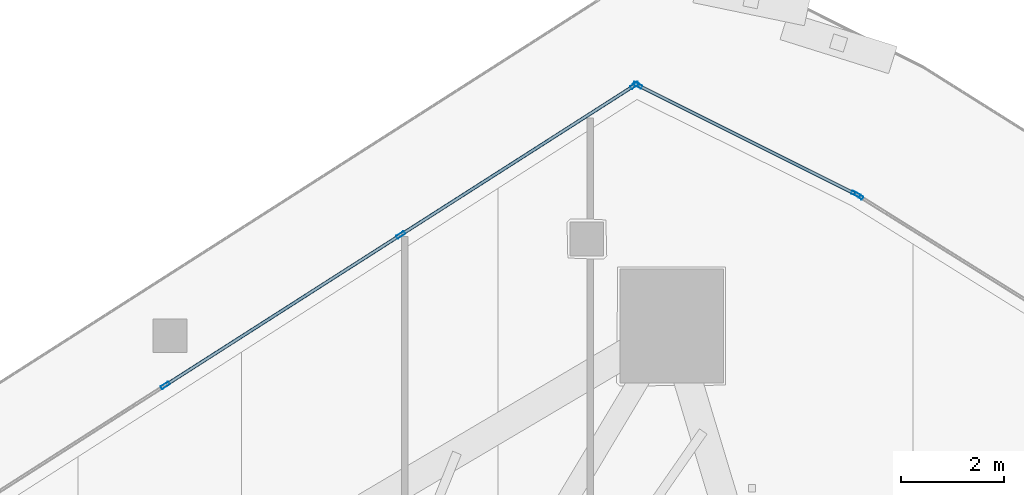
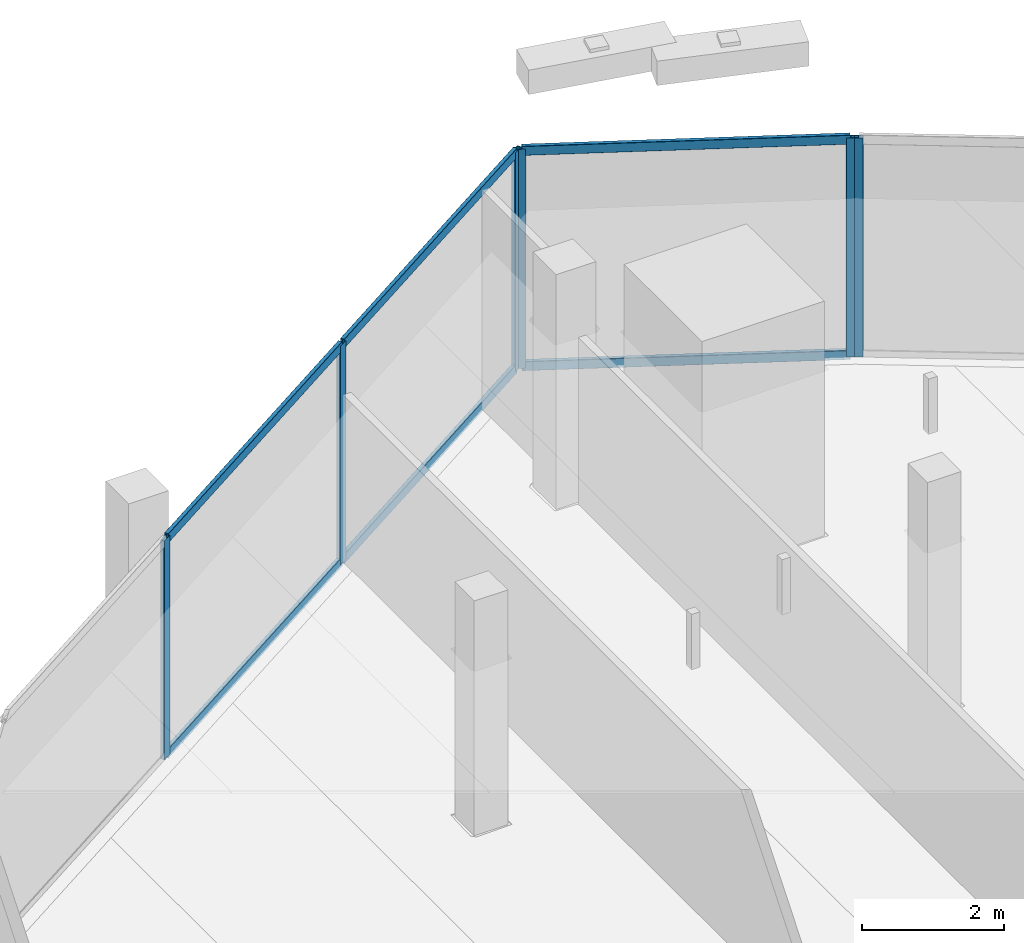
# One storey, part 22 of 39: 12 members, 3 elements without a shape of their own.
"""IFC4 building model written with IfcOpenShell, lengths in metres."""

import ifcopenshell
import ifcopenshell.guid

model = None  # the IFC model being written
_history = None  # IfcOwnerHistory: only IFC2X3 demands one
_inside = {}  # id of a spatial element -> (the spatial element, [elements in it])
_under = {}  # id of a project, library or spatial element -> (it, [spatial elements below it])
_declared = {}  # id of a project -> (the project, [libraries it declares])
_typed = {}  # id of a type object -> (the type object, [elements of that type])
_made_of = {}  # id of a material, layer set ... -> (it, [elements and type objects made of it])


def new_model(schema):
    """Start an empty IFC model of exactly this schema.

    Asked for "IFC4X3", IfcOpenShell would pick the latest addendum, in which some entities
    have other attributes; the version numbers below select the first issue.
    IFC2X3 requires an IfcOwnerHistory on every rooted entity: one is made here for all.
    """
    global model, _history
    if schema == "IFC4X3":
        model = ifcopenshell.file(schema_version=(4, 3, 0, 0))
    else:
        model = ifcopenshell.file(schema=schema)
    _inside.clear()
    _under.clear()
    _declared.clear()
    _typed.clear()
    _made_of.clear()
    _history = None
    if model.schema == "IFC2X3":
        org = make("IfcOrganization", Name="unknown")
        user = make(
            "IfcPersonAndOrganization",
            ThePerson=make("IfcPerson", FamilyName="unknown"),
            TheOrganization=org,
        )
        app = make(
            "IfcApplication",
            ApplicationDeveloper=org,
            Version="unknown",
            ApplicationFullName="unknown",
            ApplicationIdentifier="unknown",
        )
        _history = make(
            "IfcOwnerHistory",
            OwningUser=user,
            OwningApplication=app,
            ChangeAction="ADDED",
            CreationDate=0,
        )
    return model


def make(cls, **values):
    """One entity of the class cls with the attributes given. An attribute that is None is left unset."""
    return model.create_entity(
        cls, **{name: value for name, value in values.items() if value is not None}
    )


def rooted(cls, **values):
    """An entity with a GlobalId (a new one), such as an element, a storey or a relation."""
    return make(cls, GlobalId=ifcopenshell.guid.new(), OwnerHistory=_history, **values)


def si_unit(unit_type, name, prefix=None):
    """IfcSIUnit, for example si_unit("LENGTHUNIT", "METRE", prefix="MILLI")."""
    return make("IfcSIUnit", UnitType=unit_type, Prefix=prefix, Name=name)


def assignment(units):
    """IfcUnitAssignment: the units of a project."""
    return None if units is None else make("IfcUnitAssignment", Units=units)


def point(xyz):
    """IfcCartesianPoint."""
    return None if xyz is None else make("IfcCartesianPoint", Coordinates=xyz)


def direction(xyz):
    """IfcDirection."""
    return None if xyz is None else make("IfcDirection", DirectionRatios=xyz)


def frame(location, z_axis=None, x_axis=None):
    """IfcAxis2Placement3D, a coordinate frame: its origin and axes. An axis left out is left unset."""
    return make(
        "IfcAxis2Placement3D",
        Location=point(location),
        Axis=direction(z_axis),
        RefDirection=direction(x_axis),
    )


def frame_2d(location, x_axis=None):
    """IfcAxis2Placement2D, a coordinate frame in the plane: its origin and x axis."""
    return make(
        "IfcAxis2Placement2D", Location=point(location), RefDirection=direction(x_axis)
    )


def origin():
    """The frame at (0, 0, 0) with its axes left unset."""
    return frame((0.0, 0.0, 0.0))


def origin_2d():
    """The frame at (0, 0) in the plane with its x axis left unset."""
    return frame_2d((0.0, 0.0))


def place(relative_to, where):
    """IfcLocalPlacement: puts the frame where relative to a parent placement (None: the world)."""
    return make(
        "IfcLocalPlacement", PlacementRelTo=relative_to, RelativePlacement=where
    )


def context(
    kind, dimensions, precision=None, world=None, true_north=None, identifier=None
):
    """IfcGeometricRepresentationContext, for example the 3D "Model" context."""
    return make(
        "IfcGeometricRepresentationContext",
        ContextIdentifier=identifier,
        ContextType=kind,
        CoordinateSpaceDimension=dimensions,
        Precision=precision,
        WorldCoordinateSystem=world,
        TrueNorth=true_north,
    )


def subcontext(parent, identifier, kind, view, scale=None):
    """IfcGeometricRepresentationSubContext, for example "Body" below "Model"."""
    return make(
        "IfcGeometricRepresentationSubContext",
        ContextIdentifier=identifier,
        ContextType=kind,
        ParentContext=parent,
        TargetScale=scale,
        TargetView=view,
    )


def project(units=None, contexts=None):
    """IfcProject with its units and contexts."""
    return rooted(
        "IfcProject",
        Name="project",
        RepresentationContexts=contexts,
        UnitsInContext=assignment(units),
    )


def spatial(cls, under=None, at=None, **own):
    """A site, building, storey or space (cls), placed at a placement, below another one or the project."""
    s = rooted(cls, ObjectPlacement=at, **own)
    if under is not None:
        _under.setdefault(under.id(), (under, []))[1].append(s)
    return s


def profile(cls, at=None, kind="AREA", **sizes):
    """A parametric profile (cls). Its sizes go by their IFC names, for example OverallWidth=200.0."""
    return make(cls, ProfileType=kind, Position=at, **sizes)


def hollow_rectangle(**sizes):
    """IfcRectangleHollowProfileDef."""
    return profile("IfcRectangleHollowProfileDef", **sizes)


def extrude(swept, where, along, depth):
    """IfcExtrudedAreaSolid: the profile swept, set in the frame where, extruded along a direction by depth."""
    return make(
        "IfcExtrudedAreaSolid",
        SweptArea=swept,
        Position=where,
        ExtrudedDirection=direction(along),
        Depth=depth,
    )


def shape(context_of_items, identifier, shape_type, items):
    """IfcShapeRepresentation: the items that make up one representation, for example the "Body"."""
    return make(
        "IfcShapeRepresentation",
        ContextOfItems=context_of_items,
        RepresentationIdentifier=identifier,
        RepresentationType=shape_type,
        Items=items,
    )


def material(Name=None, Category=None):
    """IfcMaterial."""
    return make("IfcMaterial", Name=Name, Category=Category)


def layer(
    of_material, thickness, ventilated=None, Name=None, Category=None, Priority=None
):
    """IfcMaterialLayer: one layer of a wall or slab, of a material (None: an air gap)."""
    return make(
        "IfcMaterialLayer",
        Material=of_material,
        LayerThickness=thickness,
        IsVentilated=ventilated,
        Name=Name,
        Category=Category,
        Priority=Priority,
    )


def layer_set(layers, Name=None):
    """IfcMaterialLayerSet."""
    return make("IfcMaterialLayerSet", MaterialLayers=layers, LayerSetName=Name)


def material_profile(
    of_material, cross_section, Name=None, Category=None, Priority=None
):
    """IfcMaterialProfile: a cross section and its material."""
    return make(
        "IfcMaterialProfile",
        Name=Name,
        Material=of_material,
        Profile=cross_section,
        Priority=Priority,
        Category=Category,
    )


def profile_set(profiles, Name=None, composite=None):
    """IfcMaterialProfileSet."""
    return make(
        "IfcMaterialProfileSet",
        Name=Name,
        MaterialProfiles=profiles,
        CompositeProfile=composite,
    )


def made_of(thing, what):
    """Note that an element or type object is made of a material, layer set ...; save() writes the relation."""
    if what is not None:
        _made_of.setdefault(what.id(), (what, []))[1].append(thing)
    return thing


def type_object(cls, material=None, **own):
    """A type object (cls), such as IfcWallType, which elements share."""
    return made_of(rooted(cls, **own), material)


def element(
    cls,
    number,
    at=None,
    inside=None,
    cuts=None,
    type_object=None,
    material=None,
    context=None,
    identifier="Body",
    shape_type=None,
    held_by="IfcProductDefinitionShape",
    body=None,
    shapes=None,
    **own,
):
    """One element of the class cls, such as IfcWall. Its Tag is "e" and its number.

    at: its placement. inside: the storey or other place that contains it. cuts: it is an
    opening in that element (IfcRelVoidsElement). A single representation is given by context,
    identifier, shape_type and body (its items); several are given by shapes. held_by: the class
    of the entity that holds the representations. save() writes the other relations.
    """
    e = rooted(cls, Tag="e%d" % number, ObjectPlacement=at, **own)
    if body is not None:
        shapes = [shape(context, identifier, shape_type, body)]
    if shapes is not None:
        e.Representation = make(held_by, Representations=shapes)
    if inside is not None:
        _inside.setdefault(inside.id(), (inside, []))[1].append(e)
    if cuts is not None:
        rooted(
            "IfcRelVoidsElement", RelatingBuildingElement=cuts, RelatedOpeningElement=e
        )
    if type_object is not None:
        _typed.setdefault(type_object.id(), (type_object, []))[1].append(e)
    return made_of(e, material)


def aggregate(whole, parts):
    """IfcRelAggregates: a whole, such as a stair, and the parts it consists of."""
    return rooted("IfcRelAggregates", RelatingObject=whole, RelatedObjects=parts)


def save(model, path):
    """Write the relations noted so far, then the file.

    IfcRelAggregates (storeys below a building ...), IfcRelContainedInSpatialStructure (elements
    in a storey), IfcRelDefinesByType, IfcRelAssociatesMaterial and IfcRelDeclares: one each for
    every whole, place, type object, material and project.
    """
    for whole, parts in _under.values():
        aggregate(whole, parts)
    for where, things in _inside.values():
        rooted(
            "IfcRelContainedInSpatialStructure",
            RelatedElements=things,
            RelatingStructure=where,
        )
    for kind, things in _typed.values():
        rooted("IfcRelDefinesByType", RelatedObjects=things, RelatingType=kind)
    for what, things in _made_of.values():
        rooted("IfcRelAssociatesMaterial", RelatedObjects=things, RelatingMaterial=what)
    for by, libraries in _declared.values():
        rooted("IfcRelDeclares", RelatingContext=by, RelatedDefinitions=libraries)
    model.write(path)


model = new_model("IFC4")

# Units and contexts
model_context = context("Model", 3, precision=1e-05, world=origin(), true_north=direction((0.0, 1.0)))
body_context = subcontext(model_context, "Body", "Model", "MODEL_VIEW")
ifc_project = project(units=[si_unit("LENGTHUNIT", "METRE"), si_unit("AREAUNIT", "SQUARE_METRE"), si_unit("VOLUMEUNIT", "CUBIC_METRE"), si_unit("PLANEANGLEUNIT", "RADIAN"), si_unit("MASSUNIT", "GRAM", prefix="KILO")], contexts=[model_context])

# Site, building, storey
site_placement = place(None, origin())
site = spatial("IfcSite", under=ifc_project, at=site_placement, CompositionType="ELEMENT")
building_placement = place(site_placement, origin())
building = spatial("IfcBuilding", under=site, at=building_placement, Name="Qorvath Tower", CompositionType="ELEMENT")
storey_placement = place(building_placement, frame((0.0, 0.0, 142.199951171875)))
storey = spatial("IfcBuildingStorey", under=building, at=storey_placement, Name="L32", CompositionType="ELEMENT", Elevation=142.199951171875)

# Curtain wall, member
ifc_material_1 = material(Name="Anodised aluminium and triple low-E glass", Category="aluminium")
ifc_layer = layer(ifc_material_1, 0.179931640625)
ifc_layer_set = layer_set([ifc_layer], Name="CW-SYS-3")
curtain_wall_type = type_object("IfcCurtainWallType", Name="CW-SYS-3", PredefinedType="NOTDEFINED", material=ifc_layer_set)
curtain_wall_1_placement = place(storey_placement, origin())
curtain_wall_1 = element("IfcCurtainWall", 1, at=curtain_wall_1_placement, inside=storey, type_object=curtain_wall_type, Name="Curtain Wall CW-3 CW-T-L32-14.1", PredefinedType="NOTDEFINED")
ifc_material_2 = material(Name="Anodised aluminium 6063-T6", Category="aluminium")
ifc_material_profile_1 = material_profile(ifc_material_2, hollow_rectangle(XDim=0.06494140625, YDim=0.179931640625, WallThickness=0.00341796875, InnerFilletRadius=0.00341796875, OuterFilletRadius=0.007080078125, at=origin_2d()), Name="CWM 180x65")
ifc_profile_set_1 = profile_set([ifc_material_profile_1], Name="Anodised aluminium 6063-T6")
member_type_1 = type_object("IfcMemberType", Name="CWM-180", PredefinedType="MULLION", material=ifc_profile_set_1)
member_1_placement = place(storey_placement, frame((-11.726318359375, 27.7626953125, 0.0), z_axis=(0.0, 0.0, 1.0), x_axis=(-0.529441480387, -0.848346461563, 0.0)))
member_1 = element("IfcMember", 2, at=member_1_placement, type_object=member_type_1, Name="CW-3 mullion 3", PredefinedType="MULLION", context=body_context, shape_type="SweptSolid", body=[
    extrude(hollow_rectangle(XDim=0.06494140625, YDim=0.179931640625, WallThickness=0.00341796875, InnerFilletRadius=0.00341796875, OuterFilletRadius=0.007080078125, at=origin_2d()), origin(), (0.0, 0.0, 1.0), 3.780029296875),
])
aggregate(curtain_wall_1, [member_1])

# Curtain wall, members
curtain_wall_2_placement = place(storey_placement, origin())
curtain_wall_2 = element("IfcCurtainWall", 3, at=curtain_wall_2_placement, inside=storey, type_object=curtain_wall_type, Name="Curtain Wall CW-3 CW-T-L32-15.1", PredefinedType="NOTDEFINED")
member_2_placement = place(storey_placement, frame((-11.782958984375, 27.79443359375, 0.0), z_axis=(0.0, 0.0, 1.0), x_axis=(-0.447171738712, -0.89444811817, 0.0)))
member_2 = element("IfcMember", 4, at=member_2_placement, type_object=member_type_1, Name="CW-3 mullion 1", PredefinedType="MULLION", context=body_context, shape_type="SweptSolid", body=[
    extrude(hollow_rectangle(XDim=0.06494140625, YDim=0.179931640625, WallThickness=0.00341796875, InnerFilletRadius=0.00341796875, OuterFilletRadius=0.007080078125, at=origin_2d()), origin(), (0.0, 0.0, 1.0), 3.780029296875),
])
member_3_placement = place(storey_placement, frame((-15.998779296875, 29.90185546875, 0.0), z_axis=(0.0, 0.0, 1.0), x_axis=(-0.447171738712, -0.89444811817, 0.0)))
member_3 = element("IfcMember", 5, at=member_3_placement, type_object=member_type_1, Name="CW-3 mullion 2", PredefinedType="MULLION", context=body_context, shape_type="SweptSolid", body=[
    extrude(hollow_rectangle(XDim=0.06494140625, YDim=0.179931640625, WallThickness=0.00341796875, InnerFilletRadius=0.00341796875, OuterFilletRadius=0.007080078125, at=origin_2d()), origin(), (0.0, 0.0, 1.0), 3.780029296875),
])

curtain_wall_3_placement = place(storey_placement, origin())
curtain_wall_3 = element("IfcCurtainWall", 6, at=curtain_wall_3_placement, inside=storey, type_object=curtain_wall_type, Name="Curtain Wall CW-3 CW-T-L32-16.1", PredefinedType="NOTDEFINED")
member_4_placement = place(storey_placement, frame((-16.05517578125, 29.89892578125, 0.0), z_axis=(0.0, 0.0, 1.0), x_axis=(0.53853296968, -0.842604438967, 0.0)))
member_4 = element("IfcMember", 7, at=member_4_placement, type_object=member_type_1, Name="CW-3 mullion 1", PredefinedType="MULLION", context=body_context, shape_type="SweptSolid", body=[
    extrude(hollow_rectangle(XDim=0.06494140625, YDim=0.179931640625, WallThickness=0.00341796875, InnerFilletRadius=0.00341796875, OuterFilletRadius=0.007080078125, at=origin_2d()), origin(), (0.0, 0.0, 1.0), 3.780029296875),
])
member_5_placement = place(storey_placement, frame((-20.57861328125, 27.008056640625, 0.0), z_axis=(0.0, 0.0, 1.0), x_axis=(0.53853296968, -0.842604438967, 0.0)))
member_5 = element("IfcMember", 8, at=member_5_placement, type_object=member_type_1, Name="CW-3 mullion 2", PredefinedType="MULLION", context=body_context, shape_type="SweptSolid", body=[
    extrude(hollow_rectangle(XDim=0.06494140625, YDim=0.179931640625, WallThickness=0.00341796875, InnerFilletRadius=0.00341796875, OuterFilletRadius=0.007080078125, at=origin_2d()), origin(), (0.0, 0.0, 1.0), 3.780029296875),
])
member_6_placement = place(storey_placement, frame((-25.12939453125, 24.099365234375, 0.0), z_axis=(0.0, 0.0, 1.0), x_axis=(0.53853296968, -0.842604438967, 0.0)))
member_6 = element("IfcMember", 9, at=member_6_placement, type_object=member_type_1, Name="CW-3 mullion 3", PredefinedType="MULLION", context=body_context, shape_type="SweptSolid", body=[
    extrude(hollow_rectangle(XDim=0.06494140625, YDim=0.179931640625, WallThickness=0.00341796875, InnerFilletRadius=0.00341796875, OuterFilletRadius=0.007080078125, at=origin_2d()), origin(), (0.0, 0.0, 1.0), 3.780029296875),
])

# Member
ifc_material_3 = material(Name="Anodised aluminium 6063-T6", Category="aluminium")
ifc_material_profile_2 = material_profile(ifc_material_3, hollow_rectangle(XDim=0.06494140625, YDim=0.159912109375, WallThickness=0.00341796875, InnerFilletRadius=0.00341796875, OuterFilletRadius=0.007080078125, at=origin_2d()), Name="CWT 160x65")
ifc_profile_set_2 = profile_set([ifc_material_profile_2], Name="Anodised aluminium 6063-T6")
member_type_2 = type_object("IfcMemberType", Name="CWT-160", PredefinedType="USERDEFINED", material=ifc_profile_set_2)
member_7_placement = place(storey_placement, frame((-11.81201171875, 27.808837890625, 0.032470703125), z_axis=(-0.894448198779, 0.447171577475, 0.0), x_axis=(-0.447171577475, -0.894448198779, 0.0)))
member_7 = element("IfcMember", 10, at=member_7_placement, type_object=member_type_2, Name="CW-3 transom 1.1", ObjectType="TRANSOM", PredefinedType="USERDEFINED", context=body_context, shape_type="SweptSolid", body=[
    extrude(hollow_rectangle(XDim=0.06494140625, YDim=0.159912109375, WallThickness=0.00341796875, InnerFilletRadius=0.00341796875, OuterFilletRadius=0.007080078125, at=origin_2d()), origin(), (0.0, 0.0, 1.0), 4.6484375),
])

member_8_placement = place(storey_placement, frame((-11.81201171875, 27.808837890625, 3.74755859375), z_axis=(-0.894448198779, 0.447171577475, 0.0), x_axis=(-0.447171577475, -0.894448198779, 0.0)))
member_8 = element("IfcMember", 11, at=member_8_placement, type_object=member_type_2, Name="CW-3 transom 1.2", ObjectType="TRANSOM", PredefinedType="USERDEFINED", context=body_context, shape_type="SweptSolid", body=[
    extrude(hollow_rectangle(XDim=0.06494140625, YDim=0.159912109375, WallThickness=0.00341796875, InnerFilletRadius=0.00341796875, OuterFilletRadius=0.007080078125, at=origin_2d()), origin(), (0.0, 0.0, 1.0), 4.6484375),
])

aggregate(curtain_wall_2, [member_2, member_3, member_7, member_8])

member_9_placement = place(storey_placement, frame((-16.08251953125, 29.881591796875, 0.032470703125), z_axis=(-0.84259645993, -0.538545453711, 0.0), x_axis=(0.538545453711, -0.84259645993, 0.0)))
member_9 = element("IfcMember", 12, at=member_9_placement, type_object=member_type_2, Name="CW-3 transom 1.1", ObjectType="TRANSOM", PredefinedType="USERDEFINED", context=body_context, shape_type="SweptSolid", body=[
    extrude(hollow_rectangle(XDim=0.06494140625, YDim=0.159912109375, WallThickness=0.00341796875, InnerFilletRadius=0.00341796875, OuterFilletRadius=0.007080078125, at=origin_2d()), origin(), (0.0, 0.0, 1.0), 5.303466796875),
])

member_10_placement = place(storey_placement, frame((-16.08251953125, 29.881591796875, 3.74755859375), z_axis=(-0.84259645993, -0.538545453711, 0.0), x_axis=(0.538545453711, -0.84259645993, 0.0)))
member_10 = element("IfcMember", 13, at=member_10_placement, type_object=member_type_2, Name="CW-3 transom 1.2", ObjectType="TRANSOM", PredefinedType="USERDEFINED", context=body_context, shape_type="SweptSolid", body=[
    extrude(hollow_rectangle(XDim=0.06494140625, YDim=0.159912109375, WallThickness=0.00341796875, InnerFilletRadius=0.00341796875, OuterFilletRadius=0.007080078125, at=origin_2d()), origin(), (0.0, 0.0, 1.0), 5.303466796875),
])

member_11_placement = place(storey_placement, frame((-20.60595703125, 26.990478515625, 0.032470703125), z_axis=(-0.842608601225, -0.538526457234, 0.0), x_axis=(0.538526457234, -0.842608601225, 0.0)))
member_11 = element("IfcMember", 14, at=member_11_placement, type_object=member_type_2, Name="CW-3 transom 2.1", ObjectType="TRANSOM", PredefinedType="USERDEFINED", context=body_context, shape_type="SweptSolid", body=[
    extrude(hollow_rectangle(XDim=0.06494140625, YDim=0.159912109375, WallThickness=0.00341796875, InnerFilletRadius=0.00341796875, OuterFilletRadius=0.007080078125, at=origin_2d()), origin(), (0.0, 0.0, 1.0), 5.3359375),
])

member_12_placement = place(storey_placement, frame((-20.60595703125, 26.990478515625, 3.74755859375), z_axis=(-0.842608601225, -0.538526457234, 0.0), x_axis=(0.538526457234, -0.842608601225, 0.0)))
member_12 = element("IfcMember", 15, at=member_12_placement, type_object=member_type_2, Name="CW-3 transom 2.2", ObjectType="TRANSOM", PredefinedType="USERDEFINED", context=body_context, shape_type="SweptSolid", body=[
    extrude(hollow_rectangle(XDim=0.06494140625, YDim=0.159912109375, WallThickness=0.00341796875, InnerFilletRadius=0.00341796875, OuterFilletRadius=0.007080078125, at=origin_2d()), origin(), (0.0, 0.0, 1.0), 5.3359375),
])

aggregate(curtain_wall_3, [member_4, member_5, member_6, member_9, member_10, member_11, member_12])

save(model, "model.ifc")
